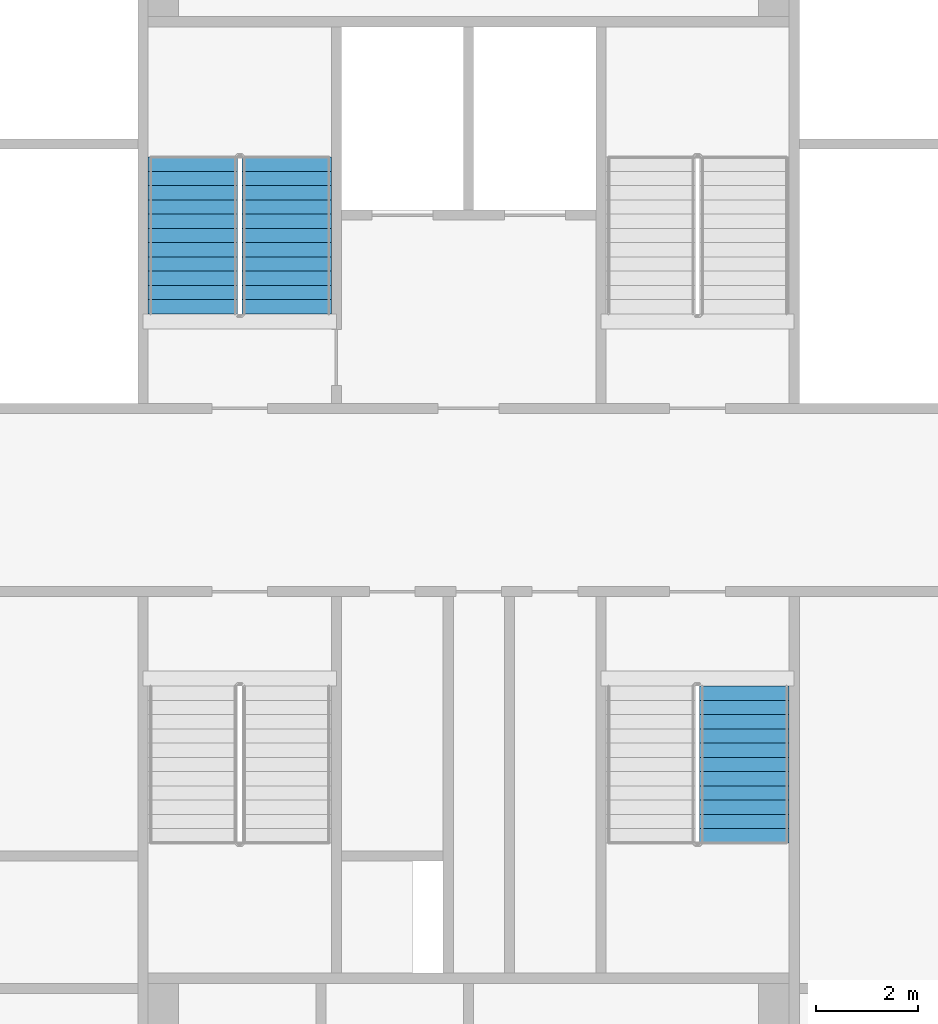
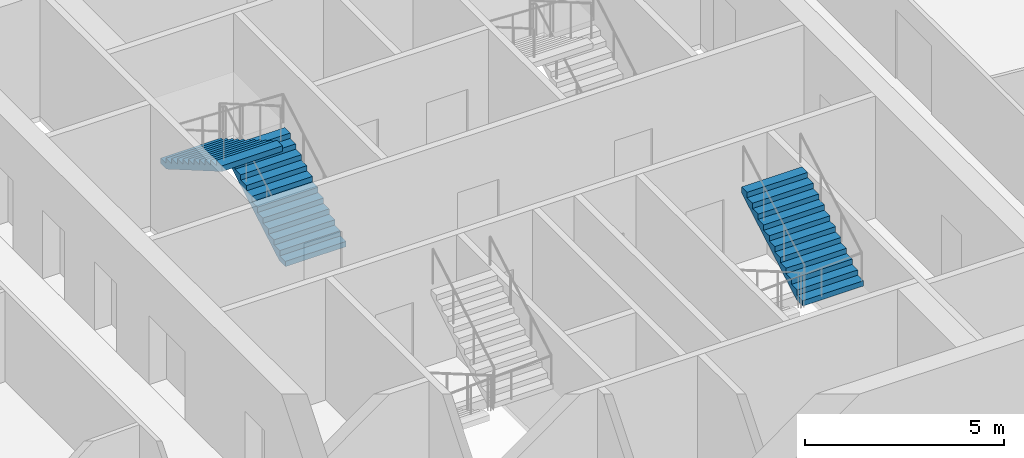
# One storey, part 14 of 20: 3 stair flights, 2 elements without a shape of their own.
"""IFC4 building model written with IfcOpenShell, lengths in metres."""

from ifc_helpers import new_model, si_unit, direction, frame, origin, place, context, subcontext, project, spatial, faceted_brep, material, type_object, element, aggregate, save


model = new_model("IFC4")

# Units and contexts
model_context = context("Model", 3, precision=1e-05, world=origin(), true_north=direction((0.0, 1.0)))
body_context = subcontext(model_context, "Body", "Model", "MODEL_VIEW")
ifc_project = project(units=[si_unit("LENGTHUNIT", "METRE"), si_unit("AREAUNIT", "SQUARE_METRE"), si_unit("VOLUMEUNIT", "CUBIC_METRE"), si_unit("PLANEANGLEUNIT", "RADIAN"), si_unit("MASSUNIT", "GRAM", prefix="KILO")], contexts=[model_context])

# Site, building, storey
site_placement = place(None, origin())
site = spatial("IfcSite", under=ifc_project, at=site_placement, CompositionType="ELEMENT")
building_placement = place(site_placement, origin())
building = spatial("IfcBuilding", under=site, at=building_placement, Name="Tarsis Ring Headquarters", CompositionType="ELEMENT")
storey_placement = place(building_placement, frame((0.0, 0.0, 294.199951171875)))
storey = spatial("IfcBuildingStorey", under=building, at=storey_placement, Name="L69", CompositionType="ELEMENT", Elevation=294.199951171875)

# Stair, stair flights
ifc_material_1 = material(Name="Core stair 1760")
stair_type = type_object("IfcStairType", Name="Core stair 1760", PredefinedType="HALF_TURN_STAIR", material=ifc_material_1)
stair_1_placement = place(storey_placement, origin())
stair_1 = element("IfcStair", 1, at=stair_1_placement, inside=storey, type_object=stair_type, Name="L69 Firefighting stair", PredefinedType="HALF_TURN_STAIR")
ifc_material_2 = material(Name="Concrete C40/50", Category="concrete")
stair_flight_type = type_object("IfcStairFlightType", Name="Core stair flight 1760", PredefinedType="STRAIGHT", material=ifc_material_2)
stair_flight_1_placement = place(storey_placement, frame((-3.580078125, 3.659912109375, 0.0), z_axis=(0.0, 0.0, 1.0), x_axis=(0.0, 1.0, 0.0)))
stair_flight_1 = element("IfcStairFlight", 2, at=stair_flight_1_placement, type_object=stair_flight_type, Name="Stair ST1 flight 1", NumberOfRisers=12, NumberOfTreads=11, PredefinedType="STRAIGHT", RiserHeight=0.1625, TreadLength=0.28, context=body_context, shape_type="Brep", body=[
    faceted_brep([(0.0, 0.8798828125, 0.0), (0.0, 0.8798828125, 0.16259765625), (0.280029296875, 0.8798828125, 0.16259765625), (0.280029296875, 0.8798828125, 0.324951171875), (0.56005859375, 0.8798828125, 0.324951171875), (0.56005859375, 0.8798828125, 0.487548828125), (0.840087890625, 0.8798828125, 0.487548828125), (0.840087890625, 0.8798828125, 0.64990234375), (1.1201171875, 0.8798828125, 0.64990234375), (1.1201171875, 0.8798828125, 0.8125), (1.39990234375, 0.8798828125, 0.8125), (1.39990234375, 0.8798828125, 0.97509765625), (1.679931640625, 0.8798828125, 0.97509765625), (1.679931640625, 0.8798828125, 1.137451171875), (1.9599609375, 0.8798828125, 1.137451171875), (1.9599609375, 0.8798828125, 1.300048828125), (2.239990234375, 0.8798828125, 1.300048828125), (2.239990234375, 0.8798828125, 1.46240234375), (2.52001953125, 0.8798828125, 1.46240234375), (2.52001953125, 0.8798828125, 1.625), (2.800048828125, 0.8798828125, 1.625), (2.800048828125, 0.8798828125, 1.78759765625), (3.080078125, 0.8798828125, 1.78759765625), (3.080078125, 0.8798828125, 1.6142578125), (0.298583984375, 0.8798828125, 0.0), (0.298583984375, -0.8798828125, 0.0), (3.080078125, -0.8798828125, 1.6142578125), (3.080078125, -0.8798828125, 1.78759765625), (2.800048828125, -0.8798828125, 1.78759765625), (2.800048828125, -0.8798828125, 1.625), (2.52001953125, -0.8798828125, 1.625), (2.52001953125, -0.8798828125, 1.46240234375), (2.239990234375, -0.8798828125, 1.46240234375), (2.239990234375, -0.8798828125, 1.300048828125), (1.9599609375, -0.8798828125, 1.300048828125), (1.9599609375, -0.8798828125, 1.137451171875), (1.679931640625, -0.8798828125, 1.137451171875), (1.679931640625, -0.8798828125, 0.97509765625), (1.39990234375, -0.8798828125, 0.97509765625), (1.39990234375, -0.8798828125, 0.8125), (1.1201171875, -0.8798828125, 0.8125), (1.1201171875, -0.8798828125, 0.64990234375), (0.840087890625, -0.8798828125, 0.64990234375), (0.840087890625, -0.8798828125, 0.487548828125), (0.56005859375, -0.8798828125, 0.487548828125), (0.56005859375, -0.8798828125, 0.324951171875), (0.280029296875, -0.8798828125, 0.324951171875), (0.280029296875, -0.8798828125, 0.16259765625), (0.0, -0.8798828125, 0.16259765625), (0.0, -0.8798828125, 0.0), (0.0, -0.43994140625, 0.16259765625), (0.0, -0.43994140625, 0.0), (0.0, 0.0, 0.16259765625), (0.0, 0.0, 0.0), (0.0, 0.43994140625, 0.16259765625), (0.0, 0.43994140625, 0.0), (0.280029296875, -0.43994140625, 0.16259765625), (0.280029296875, 0.0, 0.16259765625), (0.280029296875, 0.43994140625, 0.16259765625), (0.280029296875, -0.43994140625, 0.324951171875), (0.280029296875, 0.0, 0.324951171875), (0.280029296875, 0.43994140625, 0.324951171875), (0.56005859375, -0.43994140625, 0.324951171875), (0.56005859375, 0.0, 0.324951171875), (0.56005859375, 0.43994140625, 0.324951171875), (0.56005859375, -0.43994140625, 0.487548828125), (0.56005859375, 0.0, 0.487548828125), (0.56005859375, 0.43994140625, 0.487548828125), (0.840087890625, -0.43994140625, 0.487548828125), (0.840087890625, 0.0, 0.487548828125), (0.840087890625, 0.43994140625, 0.487548828125), (0.840087890625, -0.43994140625, 0.64990234375), (0.840087890625, 0.0, 0.64990234375), (0.840087890625, 0.43994140625, 0.64990234375), (1.1201171875, -0.43994140625, 0.64990234375), (1.1201171875, 0.0, 0.64990234375), (1.1201171875, 0.43994140625, 0.64990234375), (1.1201171875, -0.43994140625, 0.8125), (1.1201171875, 0.0, 0.8125), (1.1201171875, 0.43994140625, 0.8125), (1.39990234375, -0.43994140625, 0.8125), (1.39990234375, 0.0, 0.8125), (1.39990234375, 0.43994140625, 0.8125), (1.39990234375, -0.43994140625, 0.97509765625), (1.39990234375, 0.0, 0.97509765625), (1.39990234375, 0.43994140625, 0.97509765625), (1.679931640625, -0.43994140625, 0.97509765625), (1.679931640625, 0.0, 0.97509765625), (1.679931640625, 0.43994140625, 0.97509765625), (1.679931640625, -0.43994140625, 1.137451171875), (1.679931640625, 0.0, 1.137451171875), (1.679931640625, 0.43994140625, 1.137451171875), (1.9599609375, -0.43994140625, 1.137451171875), (1.9599609375, 0.0, 1.137451171875), (1.9599609375, 0.43994140625, 1.137451171875), (1.9599609375, -0.43994140625, 1.300048828125), (1.9599609375, 0.0, 1.300048828125), (1.9599609375, 0.43994140625, 1.300048828125), (2.239990234375, -0.43994140625, 1.300048828125), (2.239990234375, 0.0, 1.300048828125), (2.239990234375, 0.43994140625, 1.300048828125), (2.239990234375, -0.43994140625, 1.46240234375), (2.239990234375, 0.0, 1.46240234375), (2.239990234375, 0.43994140625, 1.46240234375), (2.52001953125, -0.43994140625, 1.46240234375), (2.52001953125, 0.0, 1.46240234375), (2.52001953125, 0.43994140625, 1.46240234375), (2.52001953125, -0.43994140625, 1.625), (2.52001953125, 0.0, 1.625), (2.52001953125, 0.43994140625, 1.625), (2.800048828125, -0.43994140625, 1.625), (2.800048828125, 0.0, 1.625), (2.800048828125, 0.43994140625, 1.625), (2.800048828125, -0.43994140625, 1.78759765625), (2.800048828125, 0.0, 1.78759765625), (2.800048828125, 0.43994140625, 1.78759765625), (3.080078125, -0.43994140625, 1.78759765625), (3.080078125, 0.0, 1.78759765625), (3.080078125, 0.43994140625, 1.78759765625), (3.080078125, -0.43994140625, 1.6142578125), (3.080078125, 0.0, 1.6142578125), (3.080078125, 0.43994140625, 1.6142578125), (0.298583984375, -0.43994140625, 0.0), (0.298583984375, 0.0, 0.0), (0.298583984375, 0.43994140625, 0.0)], [[[0, 1, 2, 3, 4, 5, 6, 7, 8, 9, 10, 11, 12, 13, 14, 15, 16, 17, 18, 19, 20, 21, 22, 23, 24]], [[25, 26, 27, 28, 29, 30, 31, 32, 33, 34, 35, 36, 37, 38, 39, 40, 41, 42, 43, 44, 45, 46, 47, 48, 49]], [[49, 48, 50, 51]], [[51, 50, 52, 53]], [[53, 52, 54, 55]], [[55, 54, 1, 0]], [[48, 47, 56, 50]], [[50, 56, 57, 52]], [[52, 57, 58, 54]], [[54, 58, 2, 1]], [[47, 46, 59, 56]], [[56, 59, 60, 57]], [[57, 60, 61, 58]], [[58, 61, 3, 2]], [[46, 45, 62, 59]], [[59, 62, 63, 60]], [[60, 63, 64, 61]], [[61, 64, 4, 3]], [[45, 44, 65, 62]], [[62, 65, 66, 63]], [[63, 66, 67, 64]], [[64, 67, 5, 4]], [[44, 43, 68, 65]], [[65, 68, 69, 66]], [[66, 69, 70, 67]], [[67, 70, 6, 5]], [[43, 42, 71, 68]], [[68, 71, 72, 69]], [[69, 72, 73, 70]], [[70, 73, 7, 6]], [[42, 41, 74, 71]], [[71, 74, 75, 72]], [[72, 75, 76, 73]], [[73, 76, 8, 7]], [[41, 40, 77, 74]], [[74, 77, 78, 75]], [[75, 78, 79, 76]], [[76, 79, 9, 8]], [[40, 39, 80, 77]], [[77, 80, 81, 78]], [[78, 81, 82, 79]], [[79, 82, 10, 9]], [[39, 38, 83, 80]], [[80, 83, 84, 81]], [[81, 84, 85, 82]], [[82, 85, 11, 10]], [[38, 37, 86, 83]], [[83, 86, 87, 84]], [[84, 87, 88, 85]], [[85, 88, 12, 11]], [[37, 36, 89, 86]], [[86, 89, 90, 87]], [[87, 90, 91, 88]], [[88, 91, 13, 12]], [[36, 35, 92, 89]], [[89, 92, 93, 90]], [[90, 93, 94, 91]], [[91, 94, 14, 13]], [[35, 34, 95, 92]], [[92, 95, 96, 93]], [[93, 96, 97, 94]], [[94, 97, 15, 14]], [[34, 33, 98, 95]], [[95, 98, 99, 96]], [[96, 99, 100, 97]], [[97, 100, 16, 15]], [[33, 32, 101, 98]], [[98, 101, 102, 99]], [[99, 102, 103, 100]], [[100, 103, 17, 16]], [[32, 31, 104, 101]], [[101, 104, 105, 102]], [[102, 105, 106, 103]], [[103, 106, 18, 17]], [[31, 30, 107, 104]], [[104, 107, 108, 105]], [[105, 108, 109, 106]], [[106, 109, 19, 18]], [[30, 29, 110, 107]], [[107, 110, 111, 108]], [[108, 111, 112, 109]], [[109, 112, 20, 19]], [[29, 28, 113, 110]], [[110, 113, 114, 111]], [[111, 114, 115, 112]], [[112, 115, 21, 20]], [[28, 27, 116, 113]], [[113, 116, 117, 114]], [[114, 117, 118, 115]], [[115, 118, 22, 21]], [[27, 26, 119, 116]], [[116, 119, 120, 117]], [[117, 120, 121, 118]], [[118, 121, 23, 22]], [[26, 25, 122, 119]], [[119, 122, 123, 120]], [[120, 123, 124, 121]], [[121, 124, 24, 23]], [[25, 49, 51, 122]], [[122, 51, 53, 123]], [[123, 53, 55, 124]], [[124, 55, 0, 24]]]),
])
stair_flight_2_placement = place(storey_placement, frame((-5.419921875, 6.739990234375, 1.949951171875), z_axis=(0.0, 0.0, 1.0), x_axis=(0.0, -1.0, 0.0)))
stair_flight_2 = element("IfcStairFlight", 3, at=stair_flight_2_placement, type_object=stair_flight_type, Name="Stair ST1 flight 2", NumberOfRisers=12, NumberOfTreads=11, PredefinedType="STRAIGHT", RiserHeight=0.1625, TreadLength=0.28, context=body_context, shape_type="Brep", body=[
    faceted_brep([(0.0, 0.8798828125, 0.0), (0.0, 0.8798828125, 0.16259765625), (0.280029296875, 0.8798828125, 0.16259765625), (0.280029296875, 0.8798828125, 0.324951171875), (0.56005859375, 0.8798828125, 0.324951171875), (0.56005859375, 0.8798828125, 0.487548828125), (0.840087890625, 0.8798828125, 0.487548828125), (0.840087890625, 0.8798828125, 0.64990234375), (1.1201171875, 0.8798828125, 0.64990234375), (1.1201171875, 0.8798828125, 0.8125), (1.39990234375, 0.8798828125, 0.8125), (1.39990234375, 0.8798828125, 0.97509765625), (1.679931640625, 0.8798828125, 0.97509765625), (1.679931640625, 0.8798828125, 1.137451171875), (1.9599609375, 0.8798828125, 1.137451171875), (1.9599609375, 0.8798828125, 1.300048828125), (2.239990234375, 0.8798828125, 1.300048828125), (2.239990234375, 0.8798828125, 1.46240234375), (2.52001953125, 0.8798828125, 1.46240234375), (2.52001953125, 0.8798828125, 1.625), (2.800048828125, 0.8798828125, 1.625), (2.800048828125, 0.8798828125, 1.78759765625), (3.080078125, 0.8798828125, 1.78759765625), (3.080078125, 0.8798828125, 1.6142578125), (0.298583984375, 0.8798828125, 0.0), (0.298583984375, -0.8798828125, 0.0), (3.080078125, -0.8798828125, 1.6142578125), (3.080078125, -0.8798828125, 1.78759765625), (2.800048828125, -0.8798828125, 1.78759765625), (2.800048828125, -0.8798828125, 1.625), (2.52001953125, -0.8798828125, 1.625), (2.52001953125, -0.8798828125, 1.46240234375), (2.239990234375, -0.8798828125, 1.46240234375), (2.239990234375, -0.8798828125, 1.300048828125), (1.9599609375, -0.8798828125, 1.300048828125), (1.9599609375, -0.8798828125, 1.137451171875), (1.679931640625, -0.8798828125, 1.137451171875), (1.679931640625, -0.8798828125, 0.97509765625), (1.39990234375, -0.8798828125, 0.97509765625), (1.39990234375, -0.8798828125, 0.8125), (1.1201171875, -0.8798828125, 0.8125), (1.1201171875, -0.8798828125, 0.64990234375), (0.840087890625, -0.8798828125, 0.64990234375), (0.840087890625, -0.8798828125, 0.487548828125), (0.56005859375, -0.8798828125, 0.487548828125), (0.56005859375, -0.8798828125, 0.324951171875), (0.280029296875, -0.8798828125, 0.324951171875), (0.280029296875, -0.8798828125, 0.16259765625), (0.0, -0.8798828125, 0.16259765625), (0.0, -0.8798828125, 0.0), (0.0, -0.43994140625, 0.16259765625), (0.0, -0.43994140625, 0.0), (0.0, 0.0, 0.16259765625), (0.0, 0.0, 0.0), (0.0, 0.43994140625, 0.16259765625), (0.0, 0.43994140625, 0.0), (0.280029296875, -0.43994140625, 0.16259765625), (0.280029296875, 0.0, 0.16259765625), (0.280029296875, 0.43994140625, 0.16259765625), (0.280029296875, -0.43994140625, 0.324951171875), (0.280029296875, 0.0, 0.324951171875), (0.280029296875, 0.43994140625, 0.324951171875), (0.56005859375, -0.43994140625, 0.324951171875), (0.56005859375, 0.0, 0.324951171875), (0.56005859375, 0.43994140625, 0.324951171875), (0.56005859375, -0.43994140625, 0.487548828125), (0.56005859375, 0.0, 0.487548828125), (0.56005859375, 0.43994140625, 0.487548828125), (0.840087890625, -0.43994140625, 0.487548828125), (0.840087890625, 0.0, 0.487548828125), (0.840087890625, 0.43994140625, 0.487548828125), (0.840087890625, -0.43994140625, 0.64990234375), (0.840087890625, 0.0, 0.64990234375), (0.840087890625, 0.43994140625, 0.64990234375), (1.1201171875, -0.43994140625, 0.64990234375), (1.1201171875, 0.0, 0.64990234375), (1.1201171875, 0.43994140625, 0.64990234375), (1.1201171875, -0.43994140625, 0.8125), (1.1201171875, 0.0, 0.8125), (1.1201171875, 0.43994140625, 0.8125), (1.39990234375, -0.43994140625, 0.8125), (1.39990234375, 0.0, 0.8125), (1.39990234375, 0.43994140625, 0.8125), (1.39990234375, -0.43994140625, 0.97509765625), (1.39990234375, 0.0, 0.97509765625), (1.39990234375, 0.43994140625, 0.97509765625), (1.679931640625, -0.43994140625, 0.97509765625), (1.679931640625, 0.0, 0.97509765625), (1.679931640625, 0.43994140625, 0.97509765625), (1.679931640625, -0.43994140625, 1.137451171875), (1.679931640625, 0.0, 1.137451171875), (1.679931640625, 0.43994140625, 1.137451171875), (1.9599609375, -0.43994140625, 1.137451171875), (1.9599609375, 0.0, 1.137451171875), (1.9599609375, 0.43994140625, 1.137451171875), (1.9599609375, -0.43994140625, 1.300048828125), (1.9599609375, 0.0, 1.300048828125), (1.9599609375, 0.43994140625, 1.300048828125), (2.239990234375, -0.43994140625, 1.300048828125), (2.239990234375, 0.0, 1.300048828125), (2.239990234375, 0.43994140625, 1.300048828125), (2.239990234375, -0.43994140625, 1.46240234375), (2.239990234375, 0.0, 1.46240234375), (2.239990234375, 0.43994140625, 1.46240234375), (2.52001953125, -0.43994140625, 1.46240234375), (2.52001953125, 0.0, 1.46240234375), (2.52001953125, 0.43994140625, 1.46240234375), (2.52001953125, -0.43994140625, 1.625), (2.52001953125, 0.0, 1.625), (2.52001953125, 0.43994140625, 1.625), (2.800048828125, -0.43994140625, 1.625), (2.800048828125, 0.0, 1.625), (2.800048828125, 0.43994140625, 1.625), (2.800048828125, -0.43994140625, 1.78759765625), (2.800048828125, 0.0, 1.78759765625), (2.800048828125, 0.43994140625, 1.78759765625), (3.080078125, -0.43994140625, 1.78759765625), (3.080078125, 0.0, 1.78759765625), (3.080078125, 0.43994140625, 1.78759765625), (3.080078125, -0.43994140625, 1.6142578125), (3.080078125, 0.0, 1.6142578125), (3.080078125, 0.43994140625, 1.6142578125), (0.298583984375, -0.43994140625, 0.0), (0.298583984375, 0.0, 0.0), (0.298583984375, 0.43994140625, 0.0)], [[[0, 1, 2, 3, 4, 5, 6, 7, 8, 9, 10, 11, 12, 13, 14, 15, 16, 17, 18, 19, 20, 21, 22, 23, 24]], [[25, 26, 27, 28, 29, 30, 31, 32, 33, 34, 35, 36, 37, 38, 39, 40, 41, 42, 43, 44, 45, 46, 47, 48, 49]], [[49, 48, 50, 51]], [[51, 50, 52, 53]], [[53, 52, 54, 55]], [[55, 54, 1, 0]], [[48, 47, 56, 50]], [[50, 56, 57, 52]], [[52, 57, 58, 54]], [[54, 58, 2, 1]], [[47, 46, 59, 56]], [[56, 59, 60, 57]], [[57, 60, 61, 58]], [[58, 61, 3, 2]], [[46, 45, 62, 59]], [[59, 62, 63, 60]], [[60, 63, 64, 61]], [[61, 64, 4, 3]], [[45, 44, 65, 62]], [[62, 65, 66, 63]], [[63, 66, 67, 64]], [[64, 67, 5, 4]], [[44, 43, 68, 65]], [[65, 68, 69, 66]], [[66, 69, 70, 67]], [[67, 70, 6, 5]], [[43, 42, 71, 68]], [[68, 71, 72, 69]], [[69, 72, 73, 70]], [[70, 73, 7, 6]], [[42, 41, 74, 71]], [[71, 74, 75, 72]], [[72, 75, 76, 73]], [[73, 76, 8, 7]], [[41, 40, 77, 74]], [[74, 77, 78, 75]], [[75, 78, 79, 76]], [[76, 79, 9, 8]], [[40, 39, 80, 77]], [[77, 80, 81, 78]], [[78, 81, 82, 79]], [[79, 82, 10, 9]], [[39, 38, 83, 80]], [[80, 83, 84, 81]], [[81, 84, 85, 82]], [[82, 85, 11, 10]], [[38, 37, 86, 83]], [[83, 86, 87, 84]], [[84, 87, 88, 85]], [[85, 88, 12, 11]], [[37, 36, 89, 86]], [[86, 89, 90, 87]], [[87, 90, 91, 88]], [[88, 91, 13, 12]], [[36, 35, 92, 89]], [[89, 92, 93, 90]], [[90, 93, 94, 91]], [[91, 94, 14, 13]], [[35, 34, 95, 92]], [[92, 95, 96, 93]], [[93, 96, 97, 94]], [[94, 97, 15, 14]], [[34, 33, 98, 95]], [[95, 98, 99, 96]], [[96, 99, 100, 97]], [[97, 100, 16, 15]], [[33, 32, 101, 98]], [[98, 101, 102, 99]], [[99, 102, 103, 100]], [[100, 103, 17, 16]], [[32, 31, 104, 101]], [[101, 104, 105, 102]], [[102, 105, 106, 103]], [[103, 106, 18, 17]], [[31, 30, 107, 104]], [[104, 107, 108, 105]], [[105, 108, 109, 106]], [[106, 109, 19, 18]], [[30, 29, 110, 107]], [[107, 110, 111, 108]], [[108, 111, 112, 109]], [[109, 112, 20, 19]], [[29, 28, 113, 110]], [[110, 113, 114, 111]], [[111, 114, 115, 112]], [[112, 115, 21, 20]], [[28, 27, 116, 113]], [[113, 116, 117, 114]], [[114, 117, 118, 115]], [[115, 118, 22, 21]], [[27, 26, 119, 116]], [[116, 119, 120, 117]], [[117, 120, 121, 118]], [[118, 121, 23, 22]], [[26, 25, 122, 119]], [[119, 122, 123, 120]], [[120, 123, 124, 121]], [[121, 124, 24, 23]], [[25, 49, 51, 122]], [[122, 51, 53, 123]], [[123, 53, 55, 124]], [[124, 55, 0, 24]]]),
])
aggregate(stair_1, [stair_flight_1, stair_flight_2])

# Stair, stair flight
stair_2_placement = place(storey_placement, origin())
stair_2 = element("IfcStair", 4, at=stair_2_placement, inside=storey, type_object=stair_type, Name="L69 Exit stair D", PredefinedType="HALF_TURN_STAIR")
stair_flight_3_placement = place(storey_placement, frame((5.419921875, -6.739990234375, 1.949951171875), z_axis=(0.0, 0.0, 1.0), x_axis=(0.0, 1.0, 0.0)))
stair_flight_3 = element("IfcStairFlight", 5, at=stair_flight_3_placement, type_object=stair_flight_type, Name="Stair ST4 flight 2", NumberOfRisers=12, NumberOfTreads=11, PredefinedType="STRAIGHT", RiserHeight=0.1625, TreadLength=0.28, context=body_context, shape_type="Brep", body=[
    faceted_brep([(0.0, 0.8798828125, 0.0), (0.0, 0.8798828125, 0.16259765625), (0.280029296875, 0.8798828125, 0.16259765625), (0.280029296875, 0.8798828125, 0.324951171875), (0.56005859375, 0.8798828125, 0.324951171875), (0.56005859375, 0.8798828125, 0.487548828125), (0.840087890625, 0.8798828125, 0.487548828125), (0.840087890625, 0.8798828125, 0.64990234375), (1.1201171875, 0.8798828125, 0.64990234375), (1.1201171875, 0.8798828125, 0.8125), (1.39990234375, 0.8798828125, 0.8125), (1.39990234375, 0.8798828125, 0.97509765625), (1.679931640625, 0.8798828125, 0.97509765625), (1.679931640625, 0.8798828125, 1.137451171875), (1.9599609375, 0.8798828125, 1.137451171875), (1.9599609375, 0.8798828125, 1.300048828125), (2.239990234375, 0.8798828125, 1.300048828125), (2.239990234375, 0.8798828125, 1.46240234375), (2.52001953125, 0.8798828125, 1.46240234375), (2.52001953125, 0.8798828125, 1.625), (2.800048828125, 0.8798828125, 1.625), (2.800048828125, 0.8798828125, 1.78759765625), (3.080078125, 0.8798828125, 1.78759765625), (3.080078125, 0.8798828125, 1.6142578125), (0.298583984375, 0.8798828125, 0.0), (0.298583984375, -0.8798828125, 0.0), (3.080078125, -0.8798828125, 1.6142578125), (3.080078125, -0.8798828125, 1.78759765625), (2.800048828125, -0.8798828125, 1.78759765625), (2.800048828125, -0.8798828125, 1.625), (2.52001953125, -0.8798828125, 1.625), (2.52001953125, -0.8798828125, 1.46240234375), (2.239990234375, -0.8798828125, 1.46240234375), (2.239990234375, -0.8798828125, 1.300048828125), (1.9599609375, -0.8798828125, 1.300048828125), (1.9599609375, -0.8798828125, 1.137451171875), (1.679931640625, -0.8798828125, 1.137451171875), (1.679931640625, -0.8798828125, 0.97509765625), (1.39990234375, -0.8798828125, 0.97509765625), (1.39990234375, -0.8798828125, 0.8125), (1.1201171875, -0.8798828125, 0.8125), (1.1201171875, -0.8798828125, 0.64990234375), (0.840087890625, -0.8798828125, 0.64990234375), (0.840087890625, -0.8798828125, 0.487548828125), (0.56005859375, -0.8798828125, 0.487548828125), (0.56005859375, -0.8798828125, 0.324951171875), (0.280029296875, -0.8798828125, 0.324951171875), (0.280029296875, -0.8798828125, 0.16259765625), (0.0, -0.8798828125, 0.16259765625), (0.0, -0.8798828125, 0.0), (0.0, -0.43994140625, 0.16259765625), (0.0, -0.43994140625, 0.0), (0.0, 0.0, 0.16259765625), (0.0, 0.0, 0.0), (0.0, 0.43994140625, 0.16259765625), (0.0, 0.43994140625, 0.0), (0.280029296875, -0.43994140625, 0.16259765625), (0.280029296875, 0.0, 0.16259765625), (0.280029296875, 0.43994140625, 0.16259765625), (0.280029296875, -0.43994140625, 0.324951171875), (0.280029296875, 0.0, 0.324951171875), (0.280029296875, 0.43994140625, 0.324951171875), (0.56005859375, -0.43994140625, 0.324951171875), (0.56005859375, 0.0, 0.324951171875), (0.56005859375, 0.43994140625, 0.324951171875), (0.56005859375, -0.43994140625, 0.487548828125), (0.56005859375, 0.0, 0.487548828125), (0.56005859375, 0.43994140625, 0.487548828125), (0.840087890625, -0.43994140625, 0.487548828125), (0.840087890625, 0.0, 0.487548828125), (0.840087890625, 0.43994140625, 0.487548828125), (0.840087890625, -0.43994140625, 0.64990234375), (0.840087890625, 0.0, 0.64990234375), (0.840087890625, 0.43994140625, 0.64990234375), (1.1201171875, -0.43994140625, 0.64990234375), (1.1201171875, 0.0, 0.64990234375), (1.1201171875, 0.43994140625, 0.64990234375), (1.1201171875, -0.43994140625, 0.8125), (1.1201171875, 0.0, 0.8125), (1.1201171875, 0.43994140625, 0.8125), (1.39990234375, -0.43994140625, 0.8125), (1.39990234375, 0.0, 0.8125), (1.39990234375, 0.43994140625, 0.8125), (1.39990234375, -0.43994140625, 0.97509765625), (1.39990234375, 0.0, 0.97509765625), (1.39990234375, 0.43994140625, 0.97509765625), (1.679931640625, -0.43994140625, 0.97509765625), (1.679931640625, 0.0, 0.97509765625), (1.679931640625, 0.43994140625, 0.97509765625), (1.679931640625, -0.43994140625, 1.137451171875), (1.679931640625, 0.0, 1.137451171875), (1.679931640625, 0.43994140625, 1.137451171875), (1.9599609375, -0.43994140625, 1.137451171875), (1.9599609375, 0.0, 1.137451171875), (1.9599609375, 0.43994140625, 1.137451171875), (1.9599609375, -0.43994140625, 1.300048828125), (1.9599609375, 0.0, 1.300048828125), (1.9599609375, 0.43994140625, 1.300048828125), (2.239990234375, -0.43994140625, 1.300048828125), (2.239990234375, 0.0, 1.300048828125), (2.239990234375, 0.43994140625, 1.300048828125), (2.239990234375, -0.43994140625, 1.46240234375), (2.239990234375, 0.0, 1.46240234375), (2.239990234375, 0.43994140625, 1.46240234375), (2.52001953125, -0.43994140625, 1.46240234375), (2.52001953125, 0.0, 1.46240234375), (2.52001953125, 0.43994140625, 1.46240234375), (2.52001953125, -0.43994140625, 1.625), (2.52001953125, 0.0, 1.625), (2.52001953125, 0.43994140625, 1.625), (2.800048828125, -0.43994140625, 1.625), (2.800048828125, 0.0, 1.625), (2.800048828125, 0.43994140625, 1.625), (2.800048828125, -0.43994140625, 1.78759765625), (2.800048828125, 0.0, 1.78759765625), (2.800048828125, 0.43994140625, 1.78759765625), (3.080078125, -0.43994140625, 1.78759765625), (3.080078125, 0.0, 1.78759765625), (3.080078125, 0.43994140625, 1.78759765625), (3.080078125, -0.43994140625, 1.6142578125), (3.080078125, 0.0, 1.6142578125), (3.080078125, 0.43994140625, 1.6142578125), (0.298583984375, -0.43994140625, 0.0), (0.298583984375, 0.0, 0.0), (0.298583984375, 0.43994140625, 0.0)], [[[0, 1, 2, 3, 4, 5, 6, 7, 8, 9, 10, 11, 12, 13, 14, 15, 16, 17, 18, 19, 20, 21, 22, 23, 24]], [[25, 26, 27, 28, 29, 30, 31, 32, 33, 34, 35, 36, 37, 38, 39, 40, 41, 42, 43, 44, 45, 46, 47, 48, 49]], [[49, 48, 50, 51]], [[51, 50, 52, 53]], [[53, 52, 54, 55]], [[55, 54, 1, 0]], [[48, 47, 56, 50]], [[50, 56, 57, 52]], [[52, 57, 58, 54]], [[54, 58, 2, 1]], [[47, 46, 59, 56]], [[56, 59, 60, 57]], [[57, 60, 61, 58]], [[58, 61, 3, 2]], [[46, 45, 62, 59]], [[59, 62, 63, 60]], [[60, 63, 64, 61]], [[61, 64, 4, 3]], [[45, 44, 65, 62]], [[62, 65, 66, 63]], [[63, 66, 67, 64]], [[64, 67, 5, 4]], [[44, 43, 68, 65]], [[65, 68, 69, 66]], [[66, 69, 70, 67]], [[67, 70, 6, 5]], [[43, 42, 71, 68]], [[68, 71, 72, 69]], [[69, 72, 73, 70]], [[70, 73, 7, 6]], [[42, 41, 74, 71]], [[71, 74, 75, 72]], [[72, 75, 76, 73]], [[73, 76, 8, 7]], [[41, 40, 77, 74]], [[74, 77, 78, 75]], [[75, 78, 79, 76]], [[76, 79, 9, 8]], [[40, 39, 80, 77]], [[77, 80, 81, 78]], [[78, 81, 82, 79]], [[79, 82, 10, 9]], [[39, 38, 83, 80]], [[80, 83, 84, 81]], [[81, 84, 85, 82]], [[82, 85, 11, 10]], [[38, 37, 86, 83]], [[83, 86, 87, 84]], [[84, 87, 88, 85]], [[85, 88, 12, 11]], [[37, 36, 89, 86]], [[86, 89, 90, 87]], [[87, 90, 91, 88]], [[88, 91, 13, 12]], [[36, 35, 92, 89]], [[89, 92, 93, 90]], [[90, 93, 94, 91]], [[91, 94, 14, 13]], [[35, 34, 95, 92]], [[92, 95, 96, 93]], [[93, 96, 97, 94]], [[94, 97, 15, 14]], [[34, 33, 98, 95]], [[95, 98, 99, 96]], [[96, 99, 100, 97]], [[97, 100, 16, 15]], [[33, 32, 101, 98]], [[98, 101, 102, 99]], [[99, 102, 103, 100]], [[100, 103, 17, 16]], [[32, 31, 104, 101]], [[101, 104, 105, 102]], [[102, 105, 106, 103]], [[103, 106, 18, 17]], [[31, 30, 107, 104]], [[104, 107, 108, 105]], [[105, 108, 109, 106]], [[106, 109, 19, 18]], [[30, 29, 110, 107]], [[107, 110, 111, 108]], [[108, 111, 112, 109]], [[109, 112, 20, 19]], [[29, 28, 113, 110]], [[110, 113, 114, 111]], [[111, 114, 115, 112]], [[112, 115, 21, 20]], [[28, 27, 116, 113]], [[113, 116, 117, 114]], [[114, 117, 118, 115]], [[115, 118, 22, 21]], [[27, 26, 119, 116]], [[116, 119, 120, 117]], [[117, 120, 121, 118]], [[118, 121, 23, 22]], [[26, 25, 122, 119]], [[119, 122, 123, 120]], [[120, 123, 124, 121]], [[121, 124, 24, 23]], [[25, 49, 51, 122]], [[122, 51, 53, 123]], [[123, 53, 55, 124]], [[124, 55, 0, 24]]]),
])
aggregate(stair_2, [stair_flight_3])

save(model, "model.ifc")
